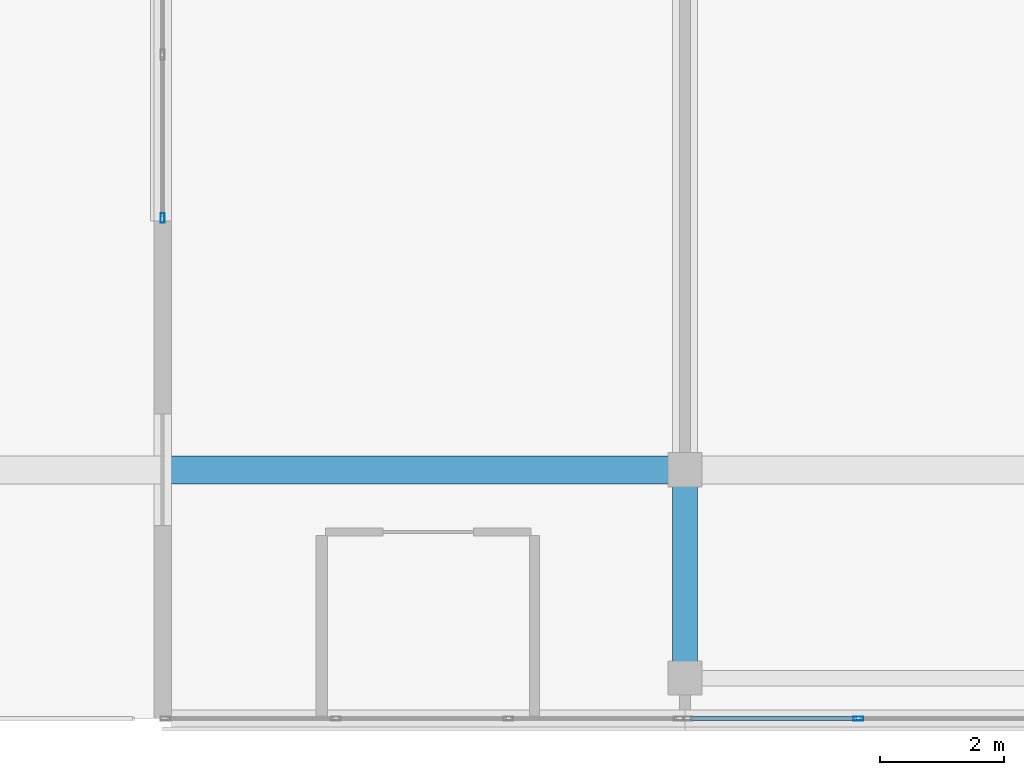
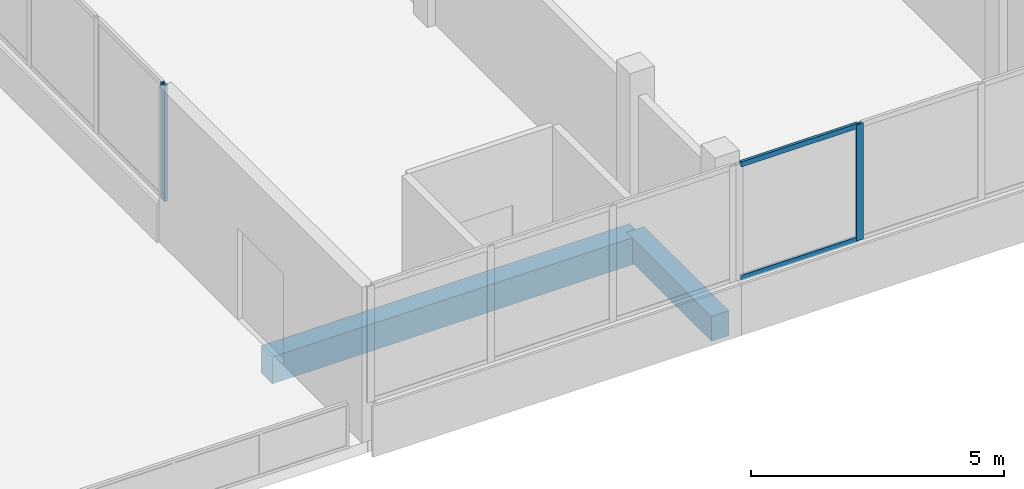
# One storey, part 5 of 67: 4 members, 2 beams, 2 elements without a shape of their own.
"""IFC4 building model written with IfcOpenShell, lengths in metres."""

from ifc_helpers import new_model, si_unit, direction, frame, origin, origin_2d, place, context, subcontext, project, spatial, rectangle, hollow_rectangle, extrude, material, material_profile, profile_set, type_object, element, aggregate, save


model = new_model("IFC4")

# Units and contexts
model_context = context("Model", 3, precision=1e-05, world=origin(), true_north=direction((0.0, 1.0)))
body_context = subcontext(model_context, "Body", "Model", "MODEL_VIEW")
ifc_project = project(units=[si_unit("LENGTHUNIT", "METRE"), si_unit("AREAUNIT", "SQUARE_METRE"), si_unit("VOLUMEUNIT", "CUBIC_METRE"), si_unit("PLANEANGLEUNIT", "RADIAN"), si_unit("MASSUNIT", "GRAM", prefix="KILO")], contexts=[model_context])

# Site, building, storey
site_placement = place(None, origin())
site = spatial("IfcSite", under=ifc_project, at=site_placement, CompositionType="ELEMENT")
building_placement = place(site_placement, origin())
building = spatial("IfcBuilding", under=site, at=building_placement, Name="Selatvlak General Hospital", CompositionType="ELEMENT")
storey_placement = place(building_placement, frame((0.0, 0.0, 35.39990234375)))
storey = spatial("IfcBuildingStorey", under=building, at=storey_placement, Name="L08", CompositionType="ELEMENT", Elevation=35.39990234375)

# Beams
ifc_material_1 = material(Name="Concrete C40/50", Category="concrete")
ifc_material_profile_1 = material_profile(ifc_material_1, rectangle(XDim=0.449951171875, YDim=0.64990234375, at=origin_2d()), Name="RC-BM 450x650")
ifc_profile_set_1 = profile_set([ifc_material_profile_1], Name="Concrete C40/50")
beam_type_1 = type_object("IfcBeamType", Name="BM-G04", PredefinedType="BEAM", material=ifc_profile_set_1)
beam_1_placement = place(storey_placement, frame((31.199951171875, 92.0, -0.58984375), z_axis=(1.0, 0.0, 0.0), x_axis=(0.0, 1.0, 0.0)))
element("IfcBeam", 1, at=beam_1_placement, inside=storey, type_object=beam_type_1, Name="Beam BMR-L08-2569", PredefinedType="BEAM", context=body_context, shape_type="SweptSolid", body=[
    extrude(rectangle(XDim=0.449951171875, YDim=0.64990234375, at=origin_2d()), origin(), (0.0, 0.0, 1.0), 8.400146484375),
])
ifc_material_profile_2 = material_profile(ifc_material_1, rectangle(XDim=0.39990234375, YDim=0.60009765625, at=origin_2d()), Name="RC-BM 400x600")
ifc_profile_set_2 = profile_set([ifc_material_profile_2], Name="Concrete C40/50")
beam_type_2 = type_object("IfcBeamType", Name="BM-G05", PredefinedType="BEAM", material=ifc_profile_set_2)
beam_2_placement = place(storey_placement, frame((39.60009765625, 88.64990234375, -0.56494140625), z_axis=(0.0, 1.0, 0.0), x_axis=(-1.0, 0.0, 0.0)))
element("IfcBeam", 2, at=beam_2_placement, inside=storey, type_object=beam_type_2, Name="Beam BMR-L08-2639", PredefinedType="BEAM", context=body_context, shape_type="SweptSolid", body=[
    extrude(rectangle(XDim=0.39990234375, YDim=0.60009765625, at=origin_2d()), origin(), (0.0, 0.0, 1.0), 3.35009765625),
])

# Curtain wall, member
ifc_material_2 = material(Name="Solar-control Low-E double glazing", Category="glass")
curtain_wall_type = type_object("IfcCurtainWallType", Name="CW-CW-01", PredefinedType="USERDEFINED", material=ifc_material_2)
curtain_wall_1_placement = place(storey_placement, origin())
curtain_wall_1 = element("IfcCurtainWall", 3, at=curtain_wall_1_placement, inside=storey, type_object=curtain_wall_type, Name="Glazed facade curtain wall CW-L08-0680", ObjectType="UNITISED CURTAIN WALL", PredefinedType="USERDEFINED")
ifc_material_3 = material(Name="Dark anodised aluminium mullion", Category="aluminium")
ifc_material_profile_3 = material_profile(ifc_material_3, hollow_rectangle(XDim=0.06494140625, YDim=0.159912109375, WallThickness=0.00390625, at=origin_2d()), Name="AL-MUL 65x160x4")
ifc_profile_set_3 = profile_set([ifc_material_profile_3], Name="Dark anodised aluminium mullion")
member_type_1 = type_object("IfcMemberType", Name="CWM-01", PredefinedType="MULLION", material=ifc_profile_set_3)
member_1_placement = place(storey_placement, frame((31.199951171875, 96.047607421875, 0.940185546875), z_axis=(0.0, 0.0, 1.0), x_axis=(-1.0, 0.0, 0.0)))
member_1 = element("IfcMember", 4, at=member_1_placement, type_object=member_type_1, Name="CW-01 mullion 1", PredefinedType="MULLION", context=body_context, shape_type="SweptSolid", body=[
    extrude(hollow_rectangle(XDim=0.06494140625, YDim=0.159912109375, WallThickness=0.00390625, at=origin_2d()), origin(), (0.0, 0.0, 1.0), 2.7998046875),
])
aggregate(curtain_wall_1, [member_1])

# Curtain wall, members
curtain_wall_2_placement = place(storey_placement, origin())
curtain_wall_2 = element("IfcCurtainWall", 5, at=curtain_wall_2_placement, inside=storey, type_object=curtain_wall_type, Name="Glazed facade curtain wall CW-L08-0714", ObjectType="UNITISED CURTAIN WALL", PredefinedType="USERDEFINED")
member_2_placement = place(storey_placement, frame((42.388427734375, 88.0, 0.940185546875), z_axis=(0.0, 0.0, 1.0), x_axis=(0.0, -1.0, 0.0)))
member_2 = element("IfcMember", 6, at=member_2_placement, type_object=member_type_1, Name="CW-01 mullion 3", PredefinedType="MULLION", context=body_context, shape_type="SweptSolid", body=[
    extrude(hollow_rectangle(XDim=0.06494140625, YDim=0.159912109375, WallThickness=0.00390625, at=origin_2d()), origin(), (0.0, 0.0, 1.0), 2.7998046875),
])
ifc_material_profile_4 = material_profile(ifc_material_3, hollow_rectangle(XDim=0.06494140625, YDim=0.1201171875, WallThickness=0.00390625, at=origin_2d()), Name="AL-TRN 65x120x4")
ifc_profile_set_4 = profile_set([ifc_material_profile_4], Name="Dark anodised aluminium mullion")
member_type_2 = type_object("IfcMemberType", Name="CWT-01", PredefinedType="USERDEFINED", material=ifc_profile_set_4)
member_3_placement = place(storey_placement, frame((42.355712890625, 88.0, 0.97265625), z_axis=(-1.0, 0.0, 0.0), x_axis=(0.0, -1.0, 0.0)))
member_3 = element("IfcMember", 7, at=member_3_placement, type_object=member_type_2, Name="CW-01 transom 3.1", ObjectType="TRANSOM", PredefinedType="USERDEFINED", context=body_context, shape_type="SweptSolid", body=[
    extrude(hollow_rectangle(XDim=0.06494140625, YDim=0.1201171875, WallThickness=0.00390625, at=origin_2d()), origin(), (0.0, 0.0, 1.0), 2.67578125),
])
member_4_placement = place(storey_placement, frame((42.355712890625, 88.0, 3.70751953125), z_axis=(-1.0, 0.0, 0.0), x_axis=(0.0, -1.0, 0.0)))
member_4 = element("IfcMember", 8, at=member_4_placement, type_object=member_type_2, Name="CW-01 transom 3.2", ObjectType="TRANSOM", PredefinedType="USERDEFINED", context=body_context, shape_type="SweptSolid", body=[
    extrude(hollow_rectangle(XDim=0.06494140625, YDim=0.1201171875, WallThickness=0.00390625, at=origin_2d()), origin(), (0.0, 0.0, 1.0), 2.67578125),
])
aggregate(curtain_wall_2, [member_2, member_3, member_4])

save(model, "model.ifc")
